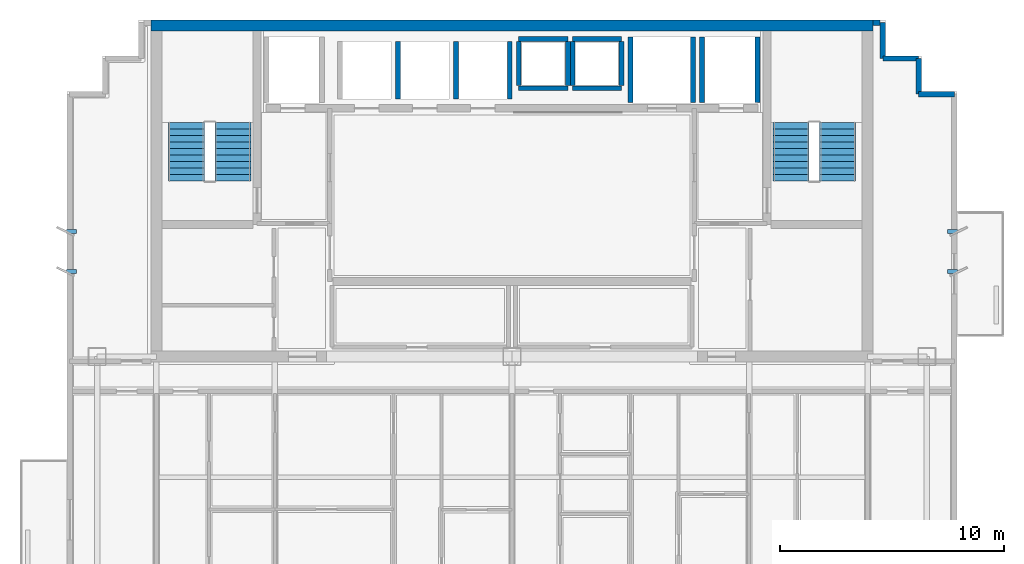
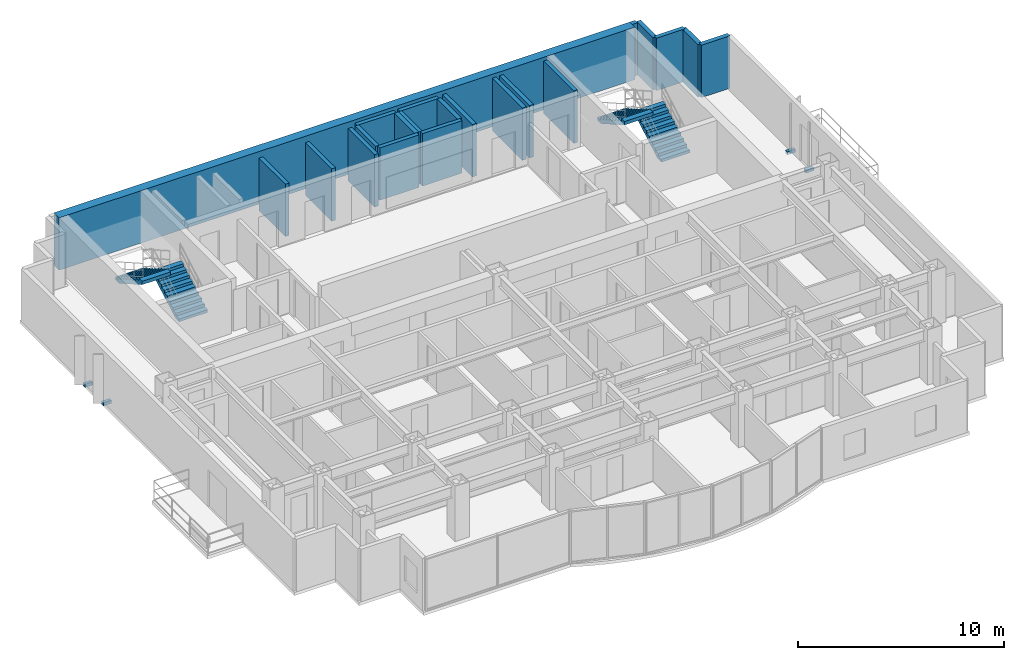
# One storey, part 7 of 9: 21 walls, 4 discrete accessories, 4 stair flights, 2 elements without a shape of their own.
"""IFC4 building model written with IfcOpenShell, lengths in metres."""

from ifc_helpers import new_model, si_unit, direction, frame, frame_2d, origin, origin_2d, place, context, subcontext, project, spatial, polyline, rectangle, outline, extrude, source, transform, mapped, material, layer, layer_set, type_object, element, aggregate, save


model = new_model("IFC4")

# Units and contexts
model_context = context("Model", 3, precision=1e-05, world=origin(), true_north=direction((0.0, 1.0)))
body_context = subcontext(model_context, "Body", "Model", "MODEL_VIEW")
ifc_project = project(units=[si_unit("LENGTHUNIT", "METRE"), si_unit("AREAUNIT", "SQUARE_METRE"), si_unit("VOLUMEUNIT", "CUBIC_METRE"), si_unit("PLANEANGLEUNIT", "RADIAN"), si_unit("MASSUNIT", "GRAM", prefix="KILO")], contexts=[model_context])

# Site, building, storey
site_placement = place(None, origin())
site = spatial("IfcSite", under=ifc_project, at=site_placement, CompositionType="ELEMENT")
building_placement = place(site_placement, origin())
building = spatial("IfcBuilding", under=site, at=building_placement, Name="Qianlan Lanfeng Residences", CompositionType="ELEMENT")
storey_placement = place(building_placement, frame((0.0, 0.0, 209.89990234375)))
storey = spatial("IfcBuildingStorey", under=building, at=storey_placement, Name="L57", CompositionType="ELEMENT", Elevation=209.89990234375)

# Walls
ifc_material_1 = material(Name="Concrete C70", Category="concrete")
ifc_layer_1 = layer(ifc_material_1, 0.5)
ifc_layer_set_1 = layer_set([ifc_layer_1], Name="Concrete C70")
wall_type_1 = type_object("IfcWallType", Name="CW-RC-500", PredefinedType="SHEAR", material=ifc_layer_set_1)
wall_1_placement = place(storey_placement, frame((10.35009765625, 40.0, 0.0), z_axis=(0.0, 0.0, 1.0), x_axis=(1.0, 0.0, 0.0)))
element("IfcWall", 1, at=wall_1_placement, inside=storey, type_object=wall_type_1, Name="L57 Core Shear Wall N", PredefinedType="SHEAR", context=body_context, shape_type="SweptSolid", body=[
    extrude(rectangle(XDim=32.2998046875, YDim=0.5, at=frame_2d((16.14990234375, 0.0))), origin(), (0.0, 0.0, 1.0), 3.110107421875),
])
ifc_material_2 = material(Name="Concrete C42", Category="concrete")
ifc_layer_2 = layer(ifc_material_2, 0.239990234375)
ifc_layer_set_2 = layer_set([ifc_layer_2], Name="Concrete C42")
wall_type_2 = type_object("IfcWallType", Name="EW-240", PredefinedType="SOLIDWALL", material=ifc_layer_set_2)
for number, where, z_axis, x_axis, name in (
    (2, (46.280029296875, 36.929931640625, 0.0), (0.0, 0.0, 1.0), (-1.0, 0.0, 0.0), "L57 Exterior Facade Spandrel Wall 11"),
    (3, (44.679931640625, 36.929931640625, 0.0), (0.0, 0.0, 1.0), (0.0, 1.0, 0.0), "L57 Exterior Facade Spandrel Wall 12"),
):
    element("IfcWall", number, at=place(storey_placement, frame(where, z_axis=z_axis, x_axis=x_axis)), inside=storey, type_object=wall_type_2, Name=name, PredefinedType="SOLIDWALL", context=body_context, shape_type="SweptSolid", body=[
        extrude(rectangle(XDim=1.60009765625, YDim=0.239990234375, at=frame_2d((0.800048828125, 0.0))), origin(), (0.0, 0.0, 1.0), 3.110107421875),
    ])
for number, where, z_axis, x_axis, name in (
    (4, (44.679931640625, 38.530029296875, 0.0), (0.0, 0.0, 1.0), (-1.0, 0.0, 0.0), "L57 Exterior Facade Spandrel Wall 13"),
    (5, (43.080078125, 38.530029296875, 0.0), (0.0, 0.0, 1.0), (0.0, 1.0, 0.0), "L57 Exterior Facade Spandrel Wall 14"),
):
    element("IfcWall", number, at=place(storey_placement, frame(where, z_axis=z_axis, x_axis=x_axis)), inside=storey, type_object=wall_type_2, Name=name, PredefinedType="SOLIDWALL", context=body_context, shape_type="SweptSolid", body=[
        extrude(rectangle(XDim=1.599853515625, YDim=0.239990234375, at=frame_2d((0.7998046875, 0.0))), origin(), (0.0, 0.0, 1.0), 3.110107421875),
    ])
wall_2_placement = place(storey_placement, frame((42.949951171875, 40.1298828125, 0.0), z_axis=(0.0, 0.0, 1.0), x_axis=(-1.0, 0.0, 0.0)))
element("IfcWall", 6, at=wall_2_placement, inside=storey, type_object=wall_type_2, Name="L57 North Wing Exterior Wall E", PredefinedType="SOLIDWALL", context=body_context, shape_type="SweptSolid", body=[
    extrude(rectangle(XDim=0.300048828125, YDim=0.239990234375, at=frame_2d((0.14990234375, 0.0))), origin(), (0.0, 0.0, 1.0), 3.110107421875),
])
ifc_material_3 = material(Name="Concrete C49", Category="concrete")
ifc_layer_3 = layer(ifc_material_3, 0.219970703125)
ifc_layer_set_3 = layer_set([ifc_layer_3], Name="Concrete C49")
wall_type_3 = type_object("IfcWallType", Name="SHW-220", PredefinedType="SOLIDWALL", material=ifc_layer_set_3)
for number, where, z_axis, x_axis, name in (
    (7, (35.0, 36.550048828125, 0.0), (0.0, 0.0, 1.0), (0.0, 1.0, 0.0), "L57 Lift FFL-2 Shaft Wall W"),
    (8, (37.47998046875, 36.550048828125, 0.0), (0.0, 0.0, 1.0), (0.0, 1.0, 0.0), "L57 Lift FFL-2 Shaft Wall E"),
    (9, (31.800048828125, 36.550048828125, 0.0), (0.0, 0.0, 1.0), (0.0, 1.0, 0.0), "L57 Lift SVL-1 Shaft Wall W"),
    (10, (34.60009765625, 36.550048828125, 0.0), (0.0, 0.0, 1.0), (0.0, 1.0, 0.0), "L57 Lift SVL-1 Shaft Wall E"),
):
    element("IfcWall", number, at=place(storey_placement, frame(where, z_axis=z_axis, x_axis=x_axis)), inside=storey, type_object=wall_type_3, Name=name, PredefinedType="SOLIDWALL", context=body_context, shape_type="SweptSolid", body=[
        extrude(rectangle(XDim=2.929931640625, YDim=0.219970703125, at=frame_2d((1.46484375, 0.0))), origin(), (0.0, 0.0, 1.0), 3.110107421875),
    ])
for number, where, z_axis, x_axis, name in (
    (11, (21.39990234375, 36.719970703125, 0.0), (0.0, 0.0, 1.0), (0.0, 1.0, 0.0), "L57 Lift PL-H2 Shaft Wall W"),
    (12, (24.0, 36.719970703125, 0.0), (0.0, 0.0, 1.0), (0.0, 1.0, 0.0), "L57 Lift PL-H3 Shaft Wall W"),
    (13, (26.39990234375, 36.719970703125, 0.0), (0.0, 0.0, 1.0), (0.0, 1.0, 0.0), "L57 Lift PL-H3 Shaft Wall E"),
):
    element("IfcWall", number, at=place(storey_placement, frame(where, z_axis=z_axis, x_axis=x_axis)), inside=storey, type_object=wall_type_3, Name=name, PredefinedType="SOLIDWALL", context=body_context, shape_type="SweptSolid", body=[
        extrude(rectangle(XDim=2.56005859375, YDim=0.219970703125, at=frame_2d((1.280029296875, 0.0))), origin(), (0.0, 0.0, 1.0), 3.110107421875),
    ])
for number, where, z_axis, x_axis, name in (
    (14, (26.800048828125, 37.31005859375, 0.0), (0.0, 0.0, 1.0), (0.0, 1.0, 0.0), "L57 MEP Riser MEP-R1 Shaft Wall W"),
    (15, (29.0, 37.31005859375, 0.0), (0.0, 0.0, 1.0), (0.0, 1.0, 0.0), "L57 MEP Riser MEP-R1 Shaft Wall E"),
):
    element("IfcWall", number, at=place(storey_placement, frame(where, z_axis=z_axis, x_axis=x_axis)), inside=storey, type_object=wall_type_3, Name=name, PredefinedType="SOLIDWALL", context=body_context, shape_type="SweptSolid", body=[
        extrude(rectangle(XDim=1.97998046875, YDim=0.219970703125, at=frame_2d((0.989990234375, 0.0))), origin(), (0.0, 0.0, 1.0), 3.110107421875),
    ])
for number, where, z_axis, x_axis, name in (
    (16, (26.800048828125, 39.39990234375, 0.0), (0.0, 0.0, 1.0), (1.0, 0.0, 0.0), "L57 MEP Riser MEP-R1 Shaft Wall N"),
    (17, (26.800048828125, 37.199951171875, 0.0), (0.0, 0.0, 1.0), (1.0, 0.0, 0.0), "L57 MEP Riser MEP-R1 Shaft Wall S"),
):
    element("IfcWall", number, at=place(storey_placement, frame(where, z_axis=z_axis, x_axis=x_axis)), inside=storey, type_object=wall_type_3, Name=name, PredefinedType="SOLIDWALL", context=body_context, shape_type="SweptSolid", body=[
        extrude(rectangle(XDim=2.199951171875, YDim=0.219970703125, at=frame_2d((1.10009765625, 0.0))), origin(), (0.0, 0.0, 1.0), 3.110107421875),
    ])
for number, where, z_axis, x_axis, name in (
    (18, (29.199951171875, 37.31005859375, 0.0), (0.0, 0.0, 1.0), (0.0, 1.0, 0.0), "L57 MEP Riser MEP-R2 Shaft Wall W"),
    (19, (31.39990234375, 37.31005859375, 0.0), (0.0, 0.0, 1.0), (0.0, 1.0, 0.0), "L57 MEP Riser MEP-R2 Shaft Wall E"),
):
    element("IfcWall", number, at=place(storey_placement, frame(where, z_axis=z_axis, x_axis=x_axis)), inside=storey, type_object=wall_type_3, Name=name, PredefinedType="SOLIDWALL", context=body_context, shape_type="SweptSolid", body=[
        extrude(rectangle(XDim=1.97998046875, YDim=0.219970703125, at=frame_2d((0.989990234375, 0.0))), origin(), (0.0, 0.0, 1.0), 3.110107421875),
    ])
for number, where, z_axis, x_axis, name in (
    (20, (29.199951171875, 39.39990234375, 0.0), (0.0, 0.0, 1.0), (1.0, 0.0, 0.0), "L57 MEP Riser MEP-R2 Shaft Wall N"),
    (21, (29.199951171875, 37.199951171875, 0.0), (0.0, 0.0, 1.0), (1.0, 0.0, 0.0), "L57 MEP Riser MEP-R2 Shaft Wall S"),
):
    element("IfcWall", number, at=place(storey_placement, frame(where, z_axis=z_axis, x_axis=x_axis)), inside=storey, type_object=wall_type_3, Name=name, PredefinedType="SOLIDWALL", context=body_context, shape_type="SweptSolid", body=[
        extrude(rectangle(XDim=2.199951171875, YDim=0.219970703125, at=frame_2d((1.10009765625, 0.0))), origin(), (0.0, 0.0, 1.0), 3.110107421875),
    ])

# Stair, stair flights
stair_type = type_object("IfcStairType", Name="STR-MAIN", PredefinedType="HALF_TURN_STAIR", material=ifc_material_2)
stair_1_placement = place(storey_placement, origin())
stair_1 = element("IfcStair", 22, at=stair_1_placement, inside=storey, type_object=stair_type, Name="L57 Exit Stair ST-1", PredefinedType="HALF_TURN_STAIR")
stair_flight_type = type_object("IfcStairFlightType", Name="FLT-1720", PredefinedType="STRAIGHT", material=ifc_material_2)
stair_flight_1_placement = place(storey_placement, frame((14.02001953125, 33.050048828125, 0.0), z_axis=(0.0, 0.0, 1.0), x_axis=(0.0, 1.0, 0.0)))
stair_flight_1 = element("IfcStairFlight", 23, at=stair_flight_1_placement, type_object=stair_flight_type, Name="ST-1 flight 1", NumberOfRisers=10, NumberOfTreads=9, PredefinedType="STRAIGHT", RiserHeight=0.165, TreadLength=0.29, context=body_context, shape_type="SweptSolid", body=[
    extrude(outline(polyline([(0.0, 0.0), (0.0, 0.1650390625), (0.2900390625, 0.1650390625), (0.2900390625, 0.330078125), (0.580078125, 0.330078125), (0.580078125, 0.4951171875), (0.8701171875, 0.4951171875), (0.8701171875, 0.659912109375), (1.159912109375, 0.659912109375), (1.159912109375, 0.824951171875), (1.449951171875, 0.824951171875), (1.449951171875, 0.989990234375), (1.739990234375, 0.989990234375), (1.739990234375, 1.155029296875), (2.030029296875, 1.155029296875), (2.030029296875, 1.320068359375), (2.320068359375, 1.320068359375), (2.320068359375, 1.485107421875), (2.610107421875, 1.485107421875), (2.610107421875, 1.64990234375), (2.610107421875, 1.278076171875), (0.36376953125, 0.0), (0.0, 0.0)])), frame((0.0, 0.800048828125, 0.0), z_axis=(0.0, -1.0, 0.0), x_axis=(1.0, 0.0, 0.0)), (0.0, 0.0, 1.0), 1.60009765625),
])
stair_flight_2_placement = place(storey_placement, frame((11.93994140625, 35.659912109375, 1.650146484375), z_axis=(0.0, 0.0, 1.0), x_axis=(0.0, -1.0, 0.0)))
stair_flight_2 = element("IfcStairFlight", 24, at=stair_flight_2_placement, type_object=stair_flight_type, Name="ST-1 flight 2", NumberOfRisers=10, NumberOfTreads=9, PredefinedType="STRAIGHT", RiserHeight=0.165, TreadLength=0.29, context=body_context, shape_type="SweptSolid", body=[
    extrude(outline(polyline([(0.0, 0.0), (0.0, 0.1650390625), (0.2900390625, 0.1650390625), (0.2900390625, 0.330078125), (0.580078125, 0.330078125), (0.580078125, 0.4951171875), (0.8701171875, 0.4951171875), (0.8701171875, 0.659912109375), (1.159912109375, 0.659912109375), (1.159912109375, 0.824951171875), (1.449951171875, 0.824951171875), (1.449951171875, 0.989990234375), (1.739990234375, 0.989990234375), (1.739990234375, 1.155029296875), (2.030029296875, 1.155029296875), (2.030029296875, 1.320068359375), (2.320068359375, 1.320068359375), (2.320068359375, 1.485107421875), (2.610107421875, 1.485107421875), (2.610107421875, 1.64990234375), (2.610107421875, 1.278076171875), (0.36376953125, 0.0), (0.0, 0.0)])), frame((0.0, 0.800048828125, 0.0), z_axis=(0.0, -1.0, 0.0), x_axis=(1.0, 0.0, 0.0)), (0.0, 0.0, 1.0), 1.60009765625),
])
aggregate(stair_1, [stair_flight_1, stair_flight_2])

stair_2_placement = place(storey_placement, origin())
stair_2 = element("IfcStair", 25, at=stair_2_placement, inside=storey, type_object=stair_type, Name="L57 Exit Stair ST-2", PredefinedType="HALF_TURN_STAIR")
stair_flight_3_placement = place(storey_placement, frame((41.06005859375, 33.050048828125, 0.0), z_axis=(0.0, 0.0, 1.0), x_axis=(0.0, 1.0, 0.0)))
stair_flight_3 = element("IfcStairFlight", 26, at=stair_flight_3_placement, type_object=stair_flight_type, Name="ST-2 flight 1", NumberOfRisers=10, NumberOfTreads=9, PredefinedType="STRAIGHT", RiserHeight=0.165, TreadLength=0.29, context=body_context, shape_type="SweptSolid", body=[
    extrude(outline(polyline([(0.0, 0.0), (0.0, 0.1650390625), (0.2900390625, 0.1650390625), (0.2900390625, 0.330078125), (0.580078125, 0.330078125), (0.580078125, 0.4951171875), (0.8701171875, 0.4951171875), (0.8701171875, 0.659912109375), (1.159912109375, 0.659912109375), (1.159912109375, 0.824951171875), (1.449951171875, 0.824951171875), (1.449951171875, 0.989990234375), (1.739990234375, 0.989990234375), (1.739990234375, 1.155029296875), (2.030029296875, 1.155029296875), (2.030029296875, 1.320068359375), (2.320068359375, 1.320068359375), (2.320068359375, 1.485107421875), (2.610107421875, 1.485107421875), (2.610107421875, 1.64990234375), (2.610107421875, 1.278076171875), (0.36376953125, 0.0), (0.0, 0.0)])), frame((0.0, 0.800048828125, 0.0), z_axis=(0.0, -1.0, 0.0), x_axis=(1.0, 0.0, 0.0)), (0.0, 0.0, 1.0), 1.60009765625),
])
stair_flight_4_placement = place(storey_placement, frame((38.97998046875, 35.659912109375, 1.650146484375), z_axis=(0.0, 0.0, 1.0), x_axis=(0.0, -1.0, 0.0)))
stair_flight_4 = element("IfcStairFlight", 27, at=stair_flight_4_placement, type_object=stair_flight_type, Name="ST-2 flight 2", NumberOfRisers=10, NumberOfTreads=9, PredefinedType="STRAIGHT", RiserHeight=0.165, TreadLength=0.29, context=body_context, shape_type="SweptSolid", body=[
    extrude(outline(polyline([(0.0, 0.0), (0.0, 0.1650390625), (0.2900390625, 0.1650390625), (0.2900390625, 0.330078125), (0.580078125, 0.330078125), (0.580078125, 0.4951171875), (0.8701171875, 0.4951171875), (0.8701171875, 0.659912109375), (1.159912109375, 0.659912109375), (1.159912109375, 0.824951171875), (1.449951171875, 0.824951171875), (1.449951171875, 0.989990234375), (1.739990234375, 0.989990234375), (1.739990234375, 1.155029296875), (2.030029296875, 1.155029296875), (2.030029296875, 1.320068359375), (2.320068359375, 1.320068359375), (2.320068359375, 1.485107421875), (2.610107421875, 1.485107421875), (2.610107421875, 1.64990234375), (2.610107421875, 1.278076171875), (0.36376953125, 0.0), (0.0, 0.0)])), frame((0.0, 0.800048828125, 0.0), z_axis=(0.0, -1.0, 0.0), x_axis=(1.0, 0.0, 0.0)), (0.0, 0.0, 1.0), 1.60009765625),
])
aggregate(stair_2, [stair_flight_3, stair_flight_4])

# Discrete accessories
ifc_material_4 = material(Name="Stainless Steel Facade Bracket", Category="steel")
discrete_accessory_type = type_object("IfcDiscreteAccessoryType", Name="BRK-SS-350", PredefinedType="BRACKET", material=ifc_material_4)
shared_shape = source(origin(), body_context, "Body", "SweptSolid", [
    extrude(rectangle(XDim=0.449951171875, YDim=0.179931640625, at=origin_2d()), origin(), (0.0, 0.0, 1.0), 0.179931640625),
])
for number, where, z_axis, x_axis, name in (
    (28, (6.800048828125, 29.0, -0.14990234375), (0.0, 0.0, 1.0), (1.0, 0.0, 0.0), "L57 Raked Solar Fin Support Bracket W1"),
    (29, (6.800048828125, 30.800048828125, -0.14990234375), (0.0, 0.0, 1.0), (1.0, 0.0, 0.0), "L57 Raked Solar Fin Support Bracket W2"),
    (30, (46.199951171875, 29.0, -0.14990234375), (0.0, 0.0, 1.0), (1.0, 0.0, 0.0), "L57 Raked Solar Fin Support Bracket E1"),
    (31, (46.199951171875, 30.800048828125, -0.14990234375), (0.0, 0.0, 1.0), (1.0, 0.0, 0.0), "L57 Raked Solar Fin Support Bracket E2"),
):
    element("IfcDiscreteAccessory", number, at=place(storey_placement, frame(where, z_axis=z_axis, x_axis=x_axis)), inside=storey, type_object=discrete_accessory_type, Name=name, PredefinedType="BRACKET", context=body_context, shape_type="MappedRepresentation", body=[
        mapped(shared_shape, transform((0.0, 0.0, 0.0), scale=1.0)),
    ])

save(model, "model.ifc")
